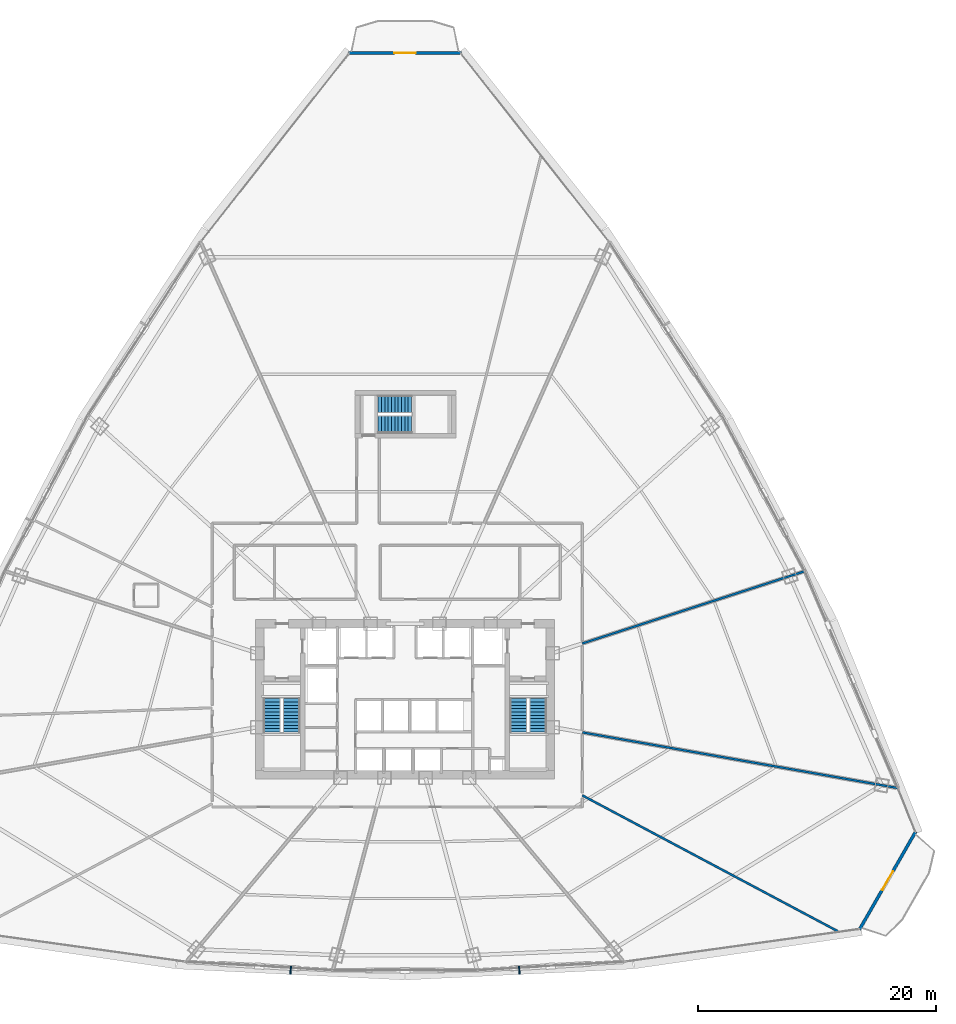
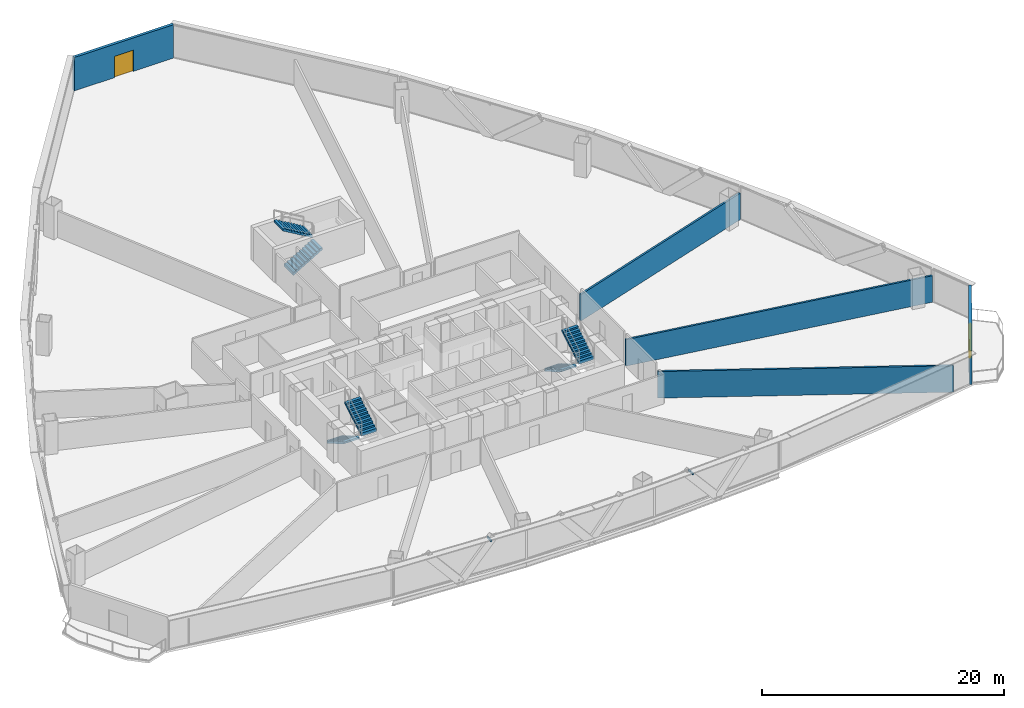
# One storey, part 32 of 37: 6 stair flights, 5 walls, 2 discrete accessories, 2 doors, 2 openings, 3 elements without a shape of their own.
"""IFC4 building model written with IfcOpenShell, lengths in metres."""

from ifc_helpers import new_model, si_unit, direction, frame, frame_2d, origin, origin_with_axes, origin_2d, place, context, subcontext, project, spatial, polyline, rectangle, outline, extrude, source, transform, mapped, material, layer, layer_set, type_object, element, fill, aggregate, save


model = new_model("IFC4")

# Units and contexts
model_context = context("Model", 3, precision=1e-05, world=origin(), true_north=direction((0.0, 1.0)))
body_context = subcontext(model_context, "Body", "Model", "MODEL_VIEW")
ifc_project = project(units=[si_unit("LENGTHUNIT", "METRE"), si_unit("AREAUNIT", "SQUARE_METRE"), si_unit("VOLUMEUNIT", "CUBIC_METRE"), si_unit("PLANEANGLEUNIT", "RADIAN"), si_unit("MASSUNIT", "GRAM", prefix="KILO"), si_unit("THERMODYNAMICTEMPERATUREUNIT", "KELVIN"), si_unit("POWERUNIT", "WATT")], contexts=[model_context])

# Site, building, storey
site_placement = place(None, origin())
site = spatial("IfcSite", under=ifc_project, at=site_placement, CompositionType="ELEMENT")
building_placement = place(site_placement, origin())
building = spatial("IfcBuilding", under=site, at=building_placement, Name="Yunzhuo Pagoda Commons", CompositionType="ELEMENT")
storey_placement = place(building_placement, frame((0.0, 0.0, 55.81005859375)))
storey = spatial("IfcBuildingStorey", under=building, at=storey_placement, Name="L14", CompositionType="ELEMENT", Elevation=55.81005859375)

# Wall, opening, door
ifc_material_1 = material(Name="Precast concrete C40", Category="concrete")
ifc_layer_1 = layer(ifc_material_1, 0.260009765625)
ifc_layer_set_1 = layer_set([ifc_layer_1], Name="Precast concrete C40")
wall_type_1 = type_object("IfcWallType", Name="W-BAL1 Corner Balcony Threshold Wall 260", PredefinedType="STANDARD", material=ifc_layer_set_1)
wall_1_placement = place(storey_placement, frame((86.183837890625, 14.498779296875, 0.0), z_axis=(0.0, 0.0, 1.0), x_axis=(0.497919395469, 0.86722331358, 0.0)))
wall_1 = element("IfcWall", 1, at=wall_1_placement, inside=storey, type_object=wall_type_1, Name="L14 corner balcony wall V2", PredefinedType="STANDARD", context=body_context, shape_type="SweptSolid", body=[
    extrude(rectangle(XDim=9.50439453125, YDim=0.260009765625, at=frame_2d((4.752197265625, 0.0))), origin(), (0.0, 0.0, 1.0), 3.369873046875),
])
opening_1_placement = place(wall_1_placement, frame((3.852294921875, 0.0, 0.0)))
opening_1 = element("IfcOpeningElement", 2, at=opening_1_placement, cuts=wall_1, Name="Opening D-BAL1", PredefinedType="OPENING", context=body_context, shape_type="SweptSolid", body=[
    extrude(rectangle(XDim=1.800048828125, YDim=2.14990234375, at=frame_2d((0.89990234375, 1.074951171875))), frame((0.0, 0.14013671875, 0.0), z_axis=(0.0, -1.0, 0.0), x_axis=(1.0, 0.0, 0.0)), (0.0, 0.0, 1.0), 0.280029296875),
])
ifc_material_2 = material(Name="Anodized aluminium frame and tempered glazed leaf", Category="aluminium")
door_type = type_object("IfcDoorType", Name="D-BAL1 Corner Balcony Sliding Glazed Door 1800x2150", OperationType="DOUBLE_DOOR_SLIDING", PredefinedType="DOOR", material=ifc_material_2)
shared_shape_1 = source(origin(), body_context, "Body", "SweptSolid", [
    extrude(rectangle(XDim=1.800048828125, YDim=2.14990234375, at=frame_2d((0.89990234375, 1.074951171875))), frame((0.0, 0.02490234375, 0.0), z_axis=(0.0, -1.0, 0.0), x_axis=(1.0, 0.0, 0.0)), (0.0, 0.0, 1.0), 0.050048828125),
])
door_1_placement = place(opening_1_placement, origin_with_axes())
door_1 = element("IfcDoor", 3, at=door_1_placement, inside=storey, type_object=door_type, Name="L14 corner balcony sliding door V2", OperationType="DOUBLE_DOOR_SLIDING", OverallHeight=2.14990234375, OverallWidth=1.800048828125, PredefinedType="DOOR", context=body_context, shape_type="MappedRepresentation", body=[
    mapped(shared_shape_1, transform((0.0, 0.0, 0.0), scale=1.0)),
])
fill(opening_1, door_1)

wall_2_placement = place(storey_placement, frame((52.733154296875, 88.150390625, 0.0), z_axis=(0.0, 0.0, 1.0), x_axis=(-1.0, 0.0, 0.0)))
wall_2 = element("IfcWall", 4, at=wall_2_placement, inside=storey, type_object=wall_type_1, Name="L14 corner balcony wall V3", PredefinedType="STANDARD", context=body_context, shape_type="SweptSolid", body=[
    extrude(rectangle(XDim=9.46630859375, YDim=0.260009765625, at=frame_2d((4.733154296875, 0.0))), origin(), (0.0, 0.0, 1.0), 3.369873046875),
])
opening_2_placement = place(wall_2_placement, frame((3.8330078125, 0.0, 0.0)))
opening_2 = element("IfcOpeningElement", 5, at=opening_2_placement, cuts=wall_2, Name="Opening D-BAL1", PredefinedType="OPENING", context=body_context, shape_type="SweptSolid", body=[
    extrude(rectangle(XDim=1.800048828125, YDim=2.14990234375, at=frame_2d((0.89990234375, 1.074951171875))), frame((0.0, 0.14013671875, 0.0), z_axis=(0.0, -1.0, 0.0), x_axis=(1.0, 0.0, 0.0)), (0.0, 0.0, 1.0), 0.280029296875),
])
door_2_placement = place(opening_2_placement, origin_with_axes())
door_2 = element("IfcDoor", 6, at=door_2_placement, inside=storey, type_object=door_type, Name="L14 corner balcony sliding door V3", OperationType="DOUBLE_DOOR_SLIDING", OverallHeight=2.14990234375, OverallWidth=1.800048828125, PredefinedType="DOOR", context=body_context, shape_type="MappedRepresentation", body=[
    mapped(shared_shape_1, transform((0.0, 0.0, 0.0), scale=1.0)),
])
fill(opening_2, door_2)

# Walls
ifc_material_3 = material(Name="Gypsum plasterboard on acoustic stud")
ifc_layer_2 = layer(ifc_material_3, 0.179931640625)
ifc_layer_set_2 = layer_set([ifc_layer_2], Name="Gypsum plasterboard on acoustic stud")
wall_type_2 = type_object("IfcWallType", Name="W-PRT2 Acoustic Unit Demising Wall 180", PredefinedType="PARTITIONING", material=ifc_layer_set_2)
wall_3_placement = place(storey_placement, frame((62.89990234375, 38.541259765625, 0.0), z_axis=(0.0, 0.0, 1.0), x_axis=(0.951053317048, 0.309026840471, 0.0)))
element("IfcWall", 7, at=wall_3_placement, inside=storey, type_object=wall_type_2, Name="L14 interior wall IW-L14-RAD01", PredefinedType="PARTITIONING", context=body_context, shape_type="SweptSolid", body=[
    extrude(rectangle(XDim=19.66552734375, YDim=0.179931640625, at=frame_2d((9.832763671875, 0.0))), origin(), (0.0, 0.0, 1.0), 2.669921875),
])
wall_4_placement = place(storey_placement, frame((62.89990234375, 25.777587890625, 0.0), z_axis=(0.0, 0.0, 1.0), x_axis=(0.882949316257, -0.469468321531, 0.0)))
element("IfcWall", 8, at=wall_4_placement, inside=storey, type_object=wall_type_2, Name="L14 interior wall IW-L14-RAD13", PredefinedType="PARTITIONING", context=body_context, shape_type="SweptSolid", body=[
    extrude(rectangle(XDim=24.43701171875, YDim=0.179931640625, at=frame_2d((12.218505859375, 0.0))), origin(), (0.0, 0.0, 1.0), 2.669921875),
])
wall_5_placement = place(storey_placement, frame((62.89990234375, 31.07275390625, 0.0), z_axis=(0.0, 0.0, 1.0), x_axis=(0.984808099647, -0.173646211791, 0.0)))
element("IfcWall", 9, at=wall_5_placement, inside=storey, type_object=wall_type_2, Name="L14 interior wall IW-L14-RAD14", PredefinedType="PARTITIONING", context=body_context, shape_type="SweptSolid", body=[
    extrude(rectangle(XDim=26.929931640625, YDim=0.179931640625, at=frame_2d((13.46484375, 0.0))), origin(), (0.0, 0.0, 1.0), 2.669921875),
])

# Stair, stair flights
ifc_material_4 = material(Name="Concrete C40", Category="concrete")
stair_type_1 = type_object("IfcStairType", Name="ST-C1 Core Smokeproof Stair ST1", PredefinedType="HALF_TURN_STAIR", material=ifc_material_4)
stair_1_placement = place(storey_placement, origin())
stair_1 = element("IfcStair", 10, at=stair_1_placement, inside=storey, type_object=stair_type_1, Name="L14 Core smokeproof stair ST1", PredefinedType="HALF_TURN_STAIR")
stair_flight_type_1 = type_object("IfcStairFlightType", Name="STF-C1 Core Stair Flight 1450", PredefinedType="STRAIGHT", material=ifc_material_4)
shared_shape_2 = source(origin(), body_context, "Body", "SweptSolid", [
    extrude(outline(polyline([(0.0, -0.14990234375), (0.0, 0.0), (0.0, 0.1650390625), (0.280029296875, 0.1650390625), (0.280029296875, 0.330078125), (0.56005859375, 0.330078125), (0.56005859375, 0.4951171875), (0.840087890625, 0.4951171875), (0.840087890625, 0.659912109375), (1.1201171875, 0.659912109375), (1.1201171875, 0.824951171875), (1.39990234375, 0.824951171875), (1.39990234375, 0.989990234375), (1.679931640625, 0.989990234375), (1.679931640625, 1.155029296875), (1.9599609375, 1.155029296875), (1.9599609375, 1.320068359375), (2.239990234375, 1.320068359375), (2.239990234375, 1.485107421875), (2.52001953125, 1.485107421875), (2.52001953125, 1.64990234375), (2.800048828125, 1.64990234375), (2.800048828125, 1.81494140625), (2.800048828125, 1.47607421875), (0.295166015625, 0.0), (0.050048828125, -0.14990234375), (0.0, -0.14990234375)])), frame((0.0, 0.72509765625, 0.0), z_axis=(0.0, -1.0, 0.0), x_axis=(1.0, 0.0, 0.0)), (0.0, 0.0, 1.0), 1.449951171875),
])
stair_flight_1_placement = place(storey_placement, frame((36.824951171875, 33.89990234375, 0.0), z_axis=(0.0, 0.0, 1.0), x_axis=(0.0, -1.0, 0.0)))
stair_flight_1 = element("IfcStairFlight", 11, at=stair_flight_1_placement, type_object=stair_flight_type_1, Name="ST1 flight 1", NumberOfRisers=11, NumberOfTreads=10, PredefinedType="STRAIGHT", RiserHeight=0.165, TreadLength=0.28, context=body_context, shape_type="MappedRepresentation", body=[
    mapped(shared_shape_2, transform((0.0, 0.0, 0.0), scale=1.0)),
])
stair_flight_2_placement = place(storey_placement, frame((38.47509765625, 31.10009765625, 1.81494140625), z_axis=(0.0, 0.0, 1.0), x_axis=(0.0, 1.0, 0.0)))
stair_flight_2 = element("IfcStairFlight", 12, at=stair_flight_2_placement, type_object=stair_flight_type_1, Name="ST1 flight 2", NumberOfRisers=11, NumberOfTreads=10, PredefinedType="STRAIGHT", RiserHeight=0.165, TreadLength=0.28, context=body_context, shape_type="MappedRepresentation", body=[
    mapped(shared_shape_2, transform((0.0, 0.0, 0.0), scale=1.0)),
])
aggregate(stair_1, [stair_flight_1, stair_flight_2])

stair_type_2 = type_object("IfcStairType", Name="ST-C2 Core Smokeproof Stair ST2", PredefinedType="HALF_TURN_STAIR", material=ifc_material_4)
stair_2_placement = place(storey_placement, origin())
stair_2 = element("IfcStair", 13, at=stair_2_placement, inside=storey, type_object=stair_type_2, Name="L14 Core smokeproof stair ST2", PredefinedType="HALF_TURN_STAIR")
stair_flight_type_2 = type_object("IfcStairFlightType", Name="STF-C2 Core Stair Flight 1460", PredefinedType="STRAIGHT", material=ifc_material_4)
stair_flight_3_placement = place(storey_placement, frame((57.52490234375, 33.89990234375, 0.0), z_axis=(0.0, 0.0, 1.0), x_axis=(0.0, -1.0, 0.0)))
stair_flight_3 = element("IfcStairFlight", 14, at=stair_flight_3_placement, type_object=stair_flight_type_2, Name="ST2 flight 1", NumberOfRisers=11, NumberOfTreads=10, PredefinedType="STRAIGHT", RiserHeight=0.165, TreadLength=0.28, context=body_context, shape_type="MappedRepresentation", body=[
    mapped(shared_shape_2, transform((0.0, 0.0, 0.0), scale=1.0)),
])
stair_flight_4_placement = place(storey_placement, frame((59.175048828125, 31.10009765625, 1.81494140625), z_axis=(0.0, 0.0, 1.0), x_axis=(0.0, 1.0, 0.0)))
stair_flight_4 = element("IfcStairFlight", 15, at=stair_flight_4_placement, type_object=stair_flight_type_2, Name="ST2 flight 2", NumberOfRisers=11, NumberOfTreads=10, PredefinedType="STRAIGHT", RiserHeight=0.165, TreadLength=0.28, context=body_context, shape_type="MappedRepresentation", body=[
    mapped(shared_shape_2, transform((0.0, 0.0, 0.0), scale=1.0)),
])
aggregate(stair_2, [stair_flight_3, stair_flight_4])

stair_type_3 = type_object("IfcStairType", Name="ST-C3 North Tower Smokeproof Stair ST3", PredefinedType="HALF_TURN_STAIR", material=ifc_material_4)
stair_3_placement = place(storey_placement, origin())
stair_3 = element("IfcStair", 16, at=stair_3_placement, inside=storey, type_object=stair_type_3, Name="L14 North tower smokeproof stair ST3", PredefinedType="HALF_TURN_STAIR")
stair_flight_type_3 = type_object("IfcStairFlightType", Name="STF-C3 North Stair Flight 1500", PredefinedType="STRAIGHT", material=ifc_material_4)
shared_shape_3 = source(origin(), body_context, "Body", "SweptSolid", [
    extrude(outline(polyline([(0.0, -0.14990234375), (0.0, 0.0), (0.0, 0.1650390625), (0.280029296875, 0.1650390625), (0.280029296875, 0.330078125), (0.56005859375, 0.330078125), (0.56005859375, 0.4951171875), (0.840087890625, 0.4951171875), (0.840087890625, 0.659912109375), (1.1201171875, 0.659912109375), (1.1201171875, 0.824951171875), (1.39990234375, 0.824951171875), (1.39990234375, 0.989990234375), (1.679931640625, 0.989990234375), (1.679931640625, 1.155029296875), (1.9599609375, 1.155029296875), (1.9599609375, 1.320068359375), (2.239990234375, 1.320068359375), (2.239990234375, 1.485107421875), (2.52001953125, 1.485107421875), (2.52001953125, 1.64990234375), (2.800048828125, 1.64990234375), (2.800048828125, 1.81494140625), (2.800048828125, 1.47607421875), (0.295166015625, 0.0), (0.050048828125, -0.14990234375), (0.0, -0.14990234375)])), frame((0.0, 0.75, 0.0), z_axis=(0.0, -1.0, 0.0), x_axis=(1.0, 0.0, 0.0)), (0.0, 0.0, 1.0), 1.5),
])
stair_flight_5_placement = place(storey_placement, frame((45.75, 56.949951171875, 0.0), z_axis=(0.0, 0.0, 1.0), x_axis=(1.0, 0.0, 0.0)))
stair_flight_5 = element("IfcStairFlight", 17, at=stair_flight_5_placement, type_object=stair_flight_type_3, Name="ST3 flight 1", NumberOfRisers=11, NumberOfTreads=10, PredefinedType="STRAIGHT", RiserHeight=0.165, TreadLength=0.28, context=body_context, shape_type="MappedRepresentation", body=[
    mapped(shared_shape_3, transform((0.0, 0.0, 0.0), scale=1.0)),
])
stair_flight_6_placement = place(storey_placement, frame((48.550048828125, 58.64990234375, 1.81494140625), z_axis=(0.0, 0.0, 1.0), x_axis=(-1.0, 0.0, 0.0)))
stair_flight_6 = element("IfcStairFlight", 18, at=stair_flight_6_placement, type_object=stair_flight_type_3, Name="ST3 flight 2", NumberOfRisers=11, NumberOfTreads=10, PredefinedType="STRAIGHT", RiserHeight=0.165, TreadLength=0.28, context=body_context, shape_type="MappedRepresentation", body=[
    mapped(shared_shape_3, transform((0.0, 0.0, 0.0), scale=1.0)),
])
aggregate(stair_3, [stair_flight_5, stair_flight_6])

# Discrete accessories
ifc_material_5 = material(Name="Anodized aluminium 6063-T6", Category="aluminium")
discrete_accessory_type = type_object("IfcDiscreteAccessoryType", Name="BK-SUN1 Sunshade Outrigger Bracket", PredefinedType="BRACKET", material=ifc_material_5)
shared_shape_4 = source(origin(), body_context, "Body", "SweptSolid", [
    extrude(rectangle(XDim=0.1201171875, YDim=0.679931640625, at=origin_2d()), origin(), (0.0, 0.0, 1.0), 0.179931640625),
])
for number, where, z_axis, x_axis, name in (
    (19, (38.3974609375, 11.096923828125, 3.16015625), (0.0, 0.0, 1.0), (0.998818043775, -0.04860571396, 0.0), "L14 sunshade outrigger bracket F1.2"),
    (20, (57.6025390625, 11.096923828125, 3.16015625), (0.0, 0.0, 1.0), (0.998818043775, 0.04860571396, 0.0), "L14 sunshade outrigger bracket F1.3"),
):
    element("IfcDiscreteAccessory", number, at=place(storey_placement, frame(where, z_axis=z_axis, x_axis=x_axis)), inside=storey, type_object=discrete_accessory_type, Name=name, PredefinedType="BRACKET", context=body_context, shape_type="MappedRepresentation", body=[
        mapped(shared_shape_4, transform((0.0, 0.0, 0.0), scale=1.0)),
    ])

save(model, "model.ifc")
